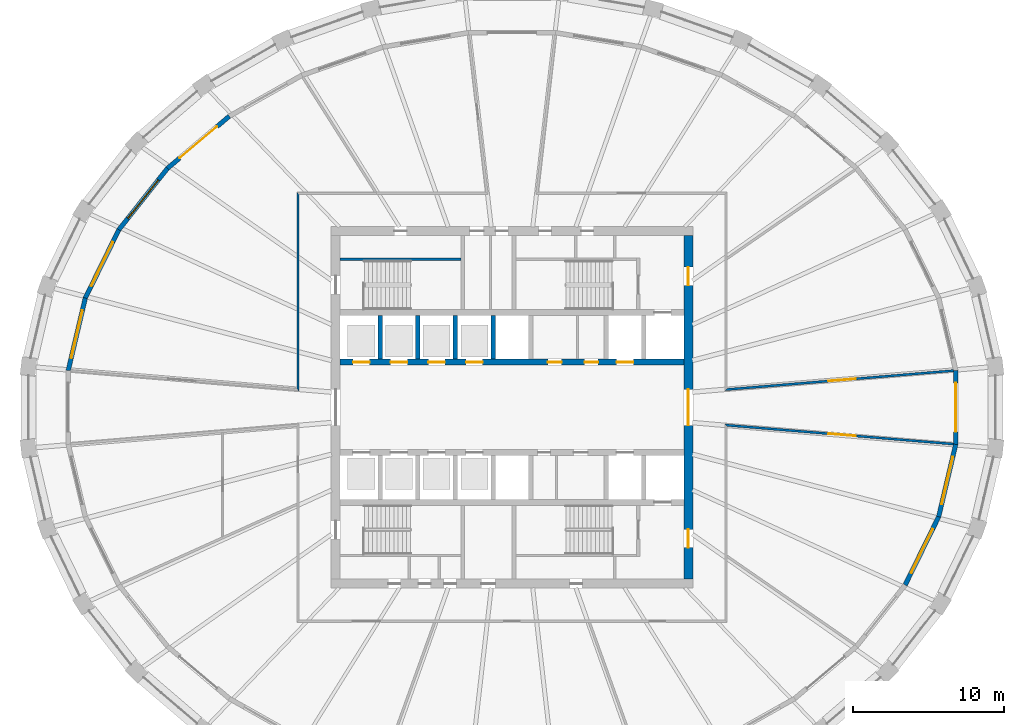
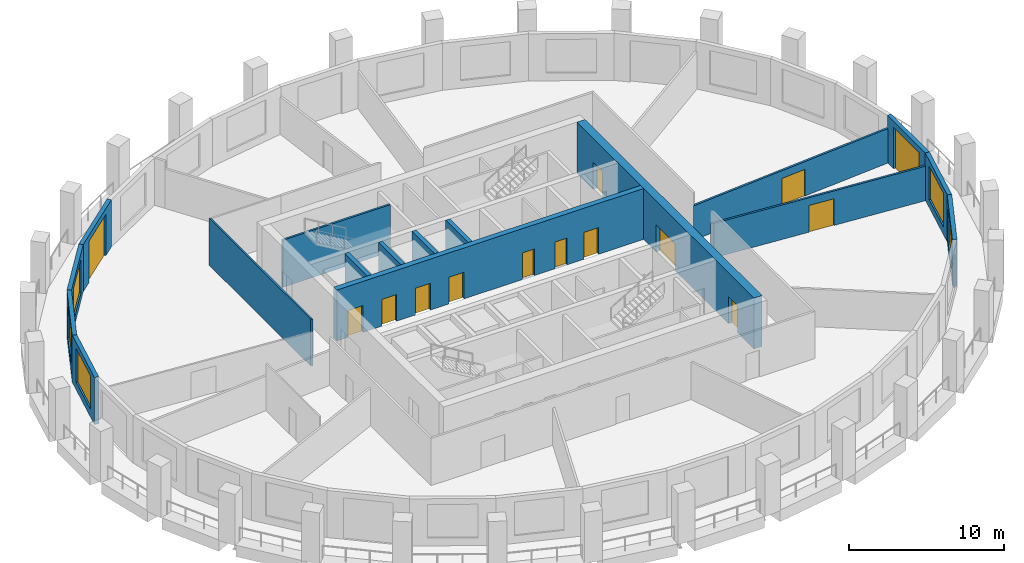
# One storey, part 5 of 10: 17 walls, 14 doors, 5 windows, 19 openings.
"""IFC4 building model written with IfcOpenShell, lengths in metres."""

from ifc_helpers import new_model, si_unit, direction, frame, frame_2d, origin, place, context, subcontext, project, spatial, polyline, rectangle, outline, extrude, material, layer, layer_set, type_object, element, fill, save


model = new_model("IFC4")

# Units and contexts
model_context = context("Model", 3, precision=1e-05, world=origin(), true_north=direction((0.0, 1.0)))
body_context = subcontext(model_context, "Body", "Model", "MODEL_VIEW")
ifc_project = project(units=[si_unit("LENGTHUNIT", "METRE"), si_unit("AREAUNIT", "SQUARE_METRE"), si_unit("VOLUMEUNIT", "CUBIC_METRE"), si_unit("PLANEANGLEUNIT", "RADIAN"), si_unit("MASSUNIT", "GRAM", prefix="KILO")], contexts=[model_context])

# Site, building, storey
site_placement = place(None, origin())
site = spatial("IfcSite", under=ifc_project, at=site_placement, CompositionType="ELEMENT")
building_placement = place(site_placement, origin())
building = spatial("IfcBuilding", under=site, at=building_placement, Name="Halqa Exchange Tower", CompositionType="ELEMENT")
storey_placement = place(building_placement, frame((0.0, 0.0, 206.89990234375)))
storey = spatial("IfcBuildingStorey", under=building, at=storey_placement, Name="L47", CompositionType="ELEMENT", Elevation=206.89990234375)

# Wall, opening, door
ifc_material_1 = material(Name="Fire-rated gypsum board")
ifc_layer_1 = layer(ifc_material_1, 0.14990234375)
ifc_layer_set_1 = layer_set([ifc_layer_1], Name="Fire-rated gypsum board")
wall_type_1 = type_object("IfcWallType", Name="Fire partition EI 60 150", PredefinedType="PARTITIONING", material=ifc_layer_set_1)
wall_1_placement = place(storey_placement, frame((14.118896484375, 1.173095703125, 0.0), z_axis=(0.0, 0.0, 1.0), x_axis=(0.996562771728, 0.082841064731, 0.0)))
wall_1 = element("IfcWall", 1, at=wall_1_placement, inside=storey, type_object=wall_type_1, Name="L47-PWL-019", PredefinedType="PARTITIONING", context=body_context, shape_type="SweptSolid", body=[
    extrude(outline(polyline([(15.2216796875, -0.074951171875), (15.2216796875, 0.044677734375), (15.217041015625, 0.074951171875), (13.33544921875, 0.074951171875), (11.45361328125, 0.074951171875), (9.57177734375, 0.074951171875), (7.68994140625, 0.074951171875), (5.80810546875, 0.074951171875), (3.92626953125, 0.074951171875), (2.04443359375, 0.074951171875), (0.16259765625, 0.074951171875), (0.081298828125, 0.000244140625), (0.0, -0.07470703125), (0.0, -0.074951171875), (1.90283203125, -0.074951171875), (3.805419921875, -0.074951171875), (5.7080078125, -0.074951171875), (7.61083984375, -0.074951171875), (9.513671875, -0.074951171875), (11.416259765625, -0.074951171875), (13.31884765625, -0.074951171875), (15.2216796875, -0.074951171875)])), origin(), (0.0, 0.0, 1.0), 2.710205078125),
])
opening_1_placement = place(wall_1_placement, frame((6.907958984375, 0.0, 0.0)))
opening_1 = element("IfcOpeningElement", 2, at=opening_1_placement, cuts=wall_1, Name="Opening 14-08", PredefinedType="OPENING", context=body_context, shape_type="SweptSolid", body=[
    extrude(rectangle(XDim=1.800048828125, YDim=2.10009765625, at=frame_2d((0.89990234375, 1.050048828125))), frame((0.0, 0.0869140625, 0.0), z_axis=(0.0, -1.0, 0.0), x_axis=(1.0, 0.0, 0.0)), (0.0, 0.0, 1.0), 0.173828125),
])
ifc_material_2 = material(Name="Steel fire door leaf", Category="steel")
door_type_1 = type_object("IfcDoorType", Name="Fire door FD30S double 1800 x 2100", OperationType="DOUBLE_DOOR_SINGLE_SWING", PredefinedType="DOOR", material=ifc_material_2)
door_1_placement = place(opening_1_placement, origin())
door_1 = element("IfcDoor", 3, at=door_1_placement, inside=storey, type_object=door_type_1, Name="L47-IDR-008", OperationType="DOUBLE_DOOR_SINGLE_SWING", OverallHeight=2.10009765625, OverallWidth=1.800048828125, PredefinedType="DOOR", context=body_context, shape_type="SweptSolid", body=[
    extrude(rectangle(XDim=1.800048828125, YDim=2.10009765625, at=frame_2d((0.89990234375, 1.050048828125))), frame((0.0, 0.02490234375, 0.0), z_axis=(0.0, -1.0, 0.0), x_axis=(1.0, 0.0, 0.0)), (0.0, 0.0, 1.0), 0.050048828125),
])
fill(opening_1, door_1)

wall_2_placement = place(storey_placement, frame((29.288330078125, -2.43408203125, 0.0), z_axis=(0.0, 0.0, 1.0), x_axis=(-0.996562771728, 0.082841064731, 0.0)))
wall_2 = element("IfcWall", 4, at=wall_2_placement, inside=storey, type_object=wall_type_1, Name="L47-PWL-021", PredefinedType="PARTITIONING", context=body_context, shape_type="SweptSolid", body=[
    extrude(outline(polyline([(15.2216796875, -0.074951171875), (15.2216796875, -0.07470703125), (15.140380859375, 0.000244140625), (15.05908203125, 0.074951171875), (13.17724609375, 0.074951171875), (11.29541015625, 0.074951171875), (9.41357421875, 0.074951171875), (7.53173828125, 0.074951171875), (5.650146484375, 0.074951171875), (3.768310546875, 0.074951171875), (1.886474609375, 0.074951171875), (0.004638671875, 0.074951171875), (0.0, 0.044189453125), (0.0, -0.074951171875), (1.90283203125, -0.074951171875), (3.805419921875, -0.074951171875), (5.7080078125, -0.074951171875), (7.61083984375, -0.074951171875), (9.513671875, -0.074951171875), (11.416259765625, -0.074951171875), (13.31884765625, -0.074951171875), (15.2216796875, -0.074951171875)])), origin(), (0.0, 0.0, 1.0), 2.710205078125),
])
opening_2_placement = place(wall_2_placement, frame((6.513916015625, 0.0, 0.0)))
opening_2 = element("IfcOpeningElement", 5, at=opening_2_placement, cuts=wall_2, Name="Opening 14-07", PredefinedType="OPENING", context=body_context, shape_type="SweptSolid", body=[
    extrude(rectangle(XDim=1.800048828125, YDim=2.10009765625, at=frame_2d((0.89990234375, 1.050048828125))), frame((0.0, 0.0869140625, 0.0), z_axis=(0.0, -1.0, 0.0), x_axis=(1.0, 0.0, 0.0)), (0.0, 0.0, 1.0), 0.173828125),
])
door_2_placement = place(opening_2_placement, origin())
door_2 = element("IfcDoor", 6, at=door_2_placement, inside=storey, type_object=door_type_1, Name="L47-IDR-007", OperationType="DOUBLE_DOOR_SINGLE_SWING", OverallHeight=2.10009765625, OverallWidth=1.800048828125, PredefinedType="DOOR", context=body_context, shape_type="SweptSolid", body=[
    extrude(rectangle(XDim=1.800048828125, YDim=2.10009765625, at=frame_2d((0.89990234375, 1.050048828125))), frame((0.0, 0.02490234375, 0.0), z_axis=(0.0, -1.0, 0.0), x_axis=(1.0, 0.0, 0.0)), (0.0, 0.0, 1.0), 0.050048828125),
])
fill(opening_2, door_2)

# Walls
ifc_material_3 = material(Name="Fire-rated glazing", Category="glass")
ifc_layer_2 = layer(ifc_material_3, 0.1201171875)
ifc_layer_set_2 = layer_set([ifc_layer_2], Name="Fire-rated glazing")
wall_type_2 = type_object("IfcWallType", Name="Glazed fire partition EI 60 120", PredefinedType="PARTITIONING", material=ifc_layer_set_2)
wall_3_placement = place(storey_placement, frame((-14.199951171875, 1.11474609375, 0.0), z_axis=(0.0, 0.0, 1.0), x_axis=(0.0, 1.0, 0.0)))
element("IfcWall", 7, at=wall_3_placement, inside=storey, type_object=wall_type_2, Name="L47-PWL-007", PredefinedType="PARTITIONING", context=body_context, shape_type="SweptSolid", body=[
    extrude(outline(polyline([(0.0, -0.06005859375), (1.86083984375, -0.06005859375), (3.721435546875, -0.06005859375), (5.582275390625, -0.06005859375), (7.44287109375, -0.06005859375), (9.3037109375, -0.06005859375), (11.164306640625, -0.06005859375), (13.025146484375, -0.06005859375), (13.145263671875, 0.06005859375), (11.285888671875, 0.06005859375), (9.4267578125, 0.06005859375), (7.5673828125, 0.06005859375), (5.708251953125, 0.06005859375), (3.848876953125, 0.06005859375), (1.98974609375, 0.06005859375), (0.13037109375, 0.06005859375), (0.0, -0.06005859375), (0.0, -0.06005859375)])), origin(), (0.0, 0.0, 1.0), 3.7001953125),
])
ifc_material_4 = material(Name="Concrete C60/75", Category="concrete")
ifc_layer_3 = layer(ifc_material_4, 0.300048828125)
ifc_layer_set_3 = layer_set([ifc_layer_3], Name="Concrete C60/75")
wall_type_3 = type_object("IfcWallType", Name="RC core wall 300", PredefinedType="SHEAR", material=ifc_layer_set_3)
for number, where, z_axis, x_axis, name in (
    (8, (-8.75, 3.199951171875, 0.0), (0.0, 0.0, 1.0), (0.0, 1.0, 0.0), "Shaft divider N1"),
    (9, (-6.25, 3.199951171875, 0.0), (0.0, 0.0, 1.0), (0.0, 1.0, 0.0), "Shaft divider N2"),
    (10, (-3.75, 3.199951171875, 0.0), (0.0, 0.0, 1.0), (0.0, 1.0, 0.0), "Shaft divider N3"),
    (11, (-1.25, 3.199951171875, 0.0), (0.0, 0.0, 1.0), (0.0, 1.0, 0.0), "Shaft divider N4"),
):
    element("IfcWall", number, at=place(storey_placement, frame(where, z_axis=z_axis, x_axis=x_axis)), inside=storey, type_object=wall_type_3, Name=name, PredefinedType="SHEAR", context=body_context, shape_type="SweptSolid", body=[
        extrude(rectangle(XDim=2.900146484375, YDim=0.300048828125, at=frame_2d((1.4501953125, 0.0))), origin(), (0.0, 0.0, 1.0), 4.0),
    ])

# Wall, openings, doors
ifc_material_5 = material(Name="Concrete C70/85", Category="concrete")
ifc_layer_4 = layer(ifc_material_5, 0.39990234375)
ifc_layer_set_4 = layer_set([ifc_layer_4], Name="Concrete C70/85")
wall_type_4 = type_object("IfcWallType", Name="RC core wall 400 C70/85", PredefinedType="SHEAR", material=ifc_layer_set_4)
wall_4_placement = place(storey_placement, frame((-11.39990234375, 3.0, 0.0), z_axis=(0.0, 0.0, 1.0), x_axis=(1.0, 0.0, 0.0)))
wall_4 = element("IfcWall", 12, at=wall_4_placement, inside=storey, type_object=wall_type_4, Name="Lift row front wall N", PredefinedType="SHEAR", context=body_context, shape_type="SweptSolid", body=[
    extrude(rectangle(XDim=22.7998046875, YDim=0.39990234375, at=frame_2d((11.39990234375, 0.0))), origin(), (0.0, 0.0, 1.0), 4.0),
])
opening_3_placement = place(wall_4_placement, frame((0.85009765625, 0.0, 0.0)))
opening_3 = element("IfcOpeningElement", 13, at=opening_3_placement, cuts=wall_4, Name="Opening LD-HR1-T14", PredefinedType="OPENING", context=body_context, shape_type="SweptSolid", body=[
    extrude(rectangle(XDim=1.10009765625, YDim=2.10009765625, at=frame_2d((0.550048828125, 1.050048828125))), frame((0.0, 0.2119140625, 0.0), z_axis=(0.0, -1.0, 0.0), x_axis=(1.0, 0.0, 0.0)), (0.0, 0.0, 1.0), 0.423828125),
])
opening_4_placement = place(wall_4_placement, frame((3.35009765625, 0.0, 0.0)))
opening_4 = element("IfcOpeningElement", 14, at=opening_4_placement, cuts=wall_4, Name="Opening LD-HR2-T14", PredefinedType="OPENING", context=body_context, shape_type="SweptSolid", body=[
    extrude(rectangle(XDim=1.10009765625, YDim=2.10009765625, at=frame_2d((0.550048828125, 1.050048828125))), frame((0.0, 0.2119140625, 0.0), z_axis=(0.0, -1.0, 0.0), x_axis=(1.0, 0.0, 0.0)), (0.0, 0.0, 1.0), 0.423828125),
])
opening_5_placement = place(wall_4_placement, frame((5.85009765625, 0.0, 0.0)))
opening_5 = element("IfcOpeningElement", 15, at=opening_5_placement, cuts=wall_4, Name="Opening LD-MR1-T14", PredefinedType="OPENING", context=body_context, shape_type="SweptSolid", body=[
    extrude(rectangle(XDim=1.10009765625, YDim=2.10009765625, at=frame_2d((0.550048828125, 1.050048828125))), frame((0.0, 0.2119140625, 0.0), z_axis=(0.0, -1.0, 0.0), x_axis=(1.0, 0.0, 0.0)), (0.0, 0.0, 1.0), 0.423828125),
])
opening_6_placement = place(wall_4_placement, frame((8.35009765625, 0.0, 0.0)))
opening_6 = element("IfcOpeningElement", 16, at=opening_6_placement, cuts=wall_4, Name="Opening LD-MR2-T14", PredefinedType="OPENING", context=body_context, shape_type="SweptSolid", body=[
    extrude(rectangle(XDim=1.10009765625, YDim=2.10009765625, at=frame_2d((0.550048828125, 1.050048828125))), frame((0.0, 0.2119140625, 0.0), z_axis=(0.0, -1.0, 0.0), x_axis=(1.0, 0.0, 0.0)), (0.0, 0.0, 1.0), 0.423828125),
])
opening_7_placement = place(wall_4_placement, frame((18.35009765625, 0.0, 0.0)))
opening_7 = element("IfcOpeningElement", 17, at=opening_7_placement, cuts=wall_4, Name="Opening LD-SV1-T14", PredefinedType="OPENING", context=body_context, shape_type="SweptSolid", body=[
    extrude(rectangle(XDim=1.10009765625, YDim=2.10009765625, at=frame_2d((0.550048828125, 1.050048828125))), frame((0.0, 0.2119140625, 0.0), z_axis=(0.0, -1.0, 0.0), x_axis=(1.0, 0.0, 0.0)), (0.0, 0.0, 1.0), 0.423828125),
])
opening_8_placement = place(wall_4_placement, frame((13.78759765625, 0.0, 0.0)))
opening_8 = element("IfcOpeningElement", 18, at=opening_8_placement, cuts=wall_4, Name="Opening T14-C31", PredefinedType="OPENING", context=body_context, shape_type="SweptSolid", body=[
    extrude(rectangle(XDim=0.89990234375, YDim=2.10009765625, at=frame_2d((0.449951171875, 1.050048828125))), frame((0.0, 0.2119140625, 0.0), z_axis=(0.0, -1.0, 0.0), x_axis=(1.0, 0.0, 0.0)), (0.0, 0.0, 1.0), 0.423828125),
])
opening_9_placement = place(wall_4_placement, frame((16.21240234375, 0.0, 0.0)))
opening_9 = element("IfcOpeningElement", 19, at=opening_9_placement, cuts=wall_4, Name="Opening T14-C32", PredefinedType="OPENING", context=body_context, shape_type="SweptSolid", body=[
    extrude(rectangle(XDim=0.89990234375, YDim=2.10009765625, at=frame_2d((0.449951171875, 1.050048828125))), frame((0.0, 0.2119140625, 0.0), z_axis=(0.0, -1.0, 0.0), x_axis=(1.0, 0.0, 0.0)), (0.0, 0.0, 1.0), 0.423828125),
])
ifc_material_6 = material(Name="Timber fire door leaf", Category="wood")
door_type_2 = type_object("IfcDoorType", Name="Core room door FD30 900 x 2100", OperationType="SINGLE_SWING_LEFT", PredefinedType="DOOR", material=ifc_material_6)
door_3_placement = place(opening_8_placement, origin())
door_3 = element("IfcDoor", 20, at=door_3_placement, inside=storey, type_object=door_type_2, Name="Core room door", OperationType="SINGLE_SWING_RIGHT", OverallHeight=2.10009765625, OverallWidth=0.89990234375, PredefinedType="DOOR", context=body_context, shape_type="SweptSolid", body=[
    extrude(rectangle(XDim=0.89990234375, YDim=2.10009765625, at=frame_2d((0.449951171875, 1.050048828125))), frame((0.0, 0.02490234375, 0.0), z_axis=(0.0, -1.0, 0.0), x_axis=(1.0, 0.0, 0.0)), (0.0, 0.0, 1.0), 0.050048828125),
])
fill(opening_8, door_3)
door_4_placement = place(opening_9_placement, origin())
door_4 = element("IfcDoor", 21, at=door_4_placement, inside=storey, type_object=door_type_2, Name="Core room door", OperationType="SINGLE_SWING_RIGHT", OverallHeight=2.10009765625, OverallWidth=0.89990234375, PredefinedType="DOOR", context=body_context, shape_type="SweptSolid", body=[
    extrude(rectangle(XDim=0.89990234375, YDim=2.10009765625, at=frame_2d((0.449951171875, 1.050048828125))), frame((0.0, 0.02490234375, 0.0), z_axis=(0.0, -1.0, 0.0), x_axis=(1.0, 0.0, 0.0)), (0.0, 0.0, 1.0), 0.050048828125),
])
fill(opening_9, door_4)
ifc_material_7 = material(Name="Stainless steel", Category="steel")
door_type_3 = type_object("IfcDoorType", Name="Lift landing door 1100 x 2100", OperationType="SLIDING_TO_LEFT", PredefinedType="DOOR", material=ifc_material_7)
door_5_placement = place(opening_3_placement, origin())
door_5 = element("IfcDoor", 22, at=door_5_placement, inside=storey, type_object=door_type_3, Name="Lift landing door HR1", OperationType="SLIDING_TO_LEFT", OverallHeight=2.10009765625, OverallWidth=1.10009765625, PredefinedType="DOOR", context=body_context, shape_type="SweptSolid", body=[
    extrude(rectangle(XDim=1.10009765625, YDim=2.10009765625, at=frame_2d((0.550048828125, 1.050048828125))), frame((0.0, 0.02490234375, 0.0), z_axis=(0.0, -1.0, 0.0), x_axis=(1.0, 0.0, 0.0)), (0.0, 0.0, 1.0), 0.050048828125),
])
fill(opening_3, door_5)
door_6_placement = place(opening_4_placement, origin())
door_6 = element("IfcDoor", 23, at=door_6_placement, inside=storey, type_object=door_type_3, Name="Lift landing door HR2", OperationType="SLIDING_TO_LEFT", OverallHeight=2.10009765625, OverallWidth=1.10009765625, PredefinedType="DOOR", context=body_context, shape_type="SweptSolid", body=[
    extrude(rectangle(XDim=1.10009765625, YDim=2.10009765625, at=frame_2d((0.550048828125, 1.050048828125))), frame((0.0, 0.02490234375, 0.0), z_axis=(0.0, -1.0, 0.0), x_axis=(1.0, 0.0, 0.0)), (0.0, 0.0, 1.0), 0.050048828125),
])
fill(opening_4, door_6)
door_7_placement = place(opening_5_placement, origin())
door_7 = element("IfcDoor", 24, at=door_7_placement, inside=storey, type_object=door_type_3, Name="Lift landing door MR1", OperationType="SLIDING_TO_LEFT", OverallHeight=2.10009765625, OverallWidth=1.10009765625, PredefinedType="DOOR", context=body_context, shape_type="SweptSolid", body=[
    extrude(rectangle(XDim=1.10009765625, YDim=2.10009765625, at=frame_2d((0.550048828125, 1.050048828125))), frame((0.0, 0.02490234375, 0.0), z_axis=(0.0, -1.0, 0.0), x_axis=(1.0, 0.0, 0.0)), (0.0, 0.0, 1.0), 0.050048828125),
])
fill(opening_5, door_7)
door_8_placement = place(opening_6_placement, origin())
door_8 = element("IfcDoor", 25, at=door_8_placement, inside=storey, type_object=door_type_3, Name="Lift landing door MR2", OperationType="SLIDING_TO_LEFT", OverallHeight=2.10009765625, OverallWidth=1.10009765625, PredefinedType="DOOR", context=body_context, shape_type="SweptSolid", body=[
    extrude(rectangle(XDim=1.10009765625, YDim=2.10009765625, at=frame_2d((0.550048828125, 1.050048828125))), frame((0.0, 0.02490234375, 0.0), z_axis=(0.0, -1.0, 0.0), x_axis=(1.0, 0.0, 0.0)), (0.0, 0.0, 1.0), 0.050048828125),
])
fill(opening_6, door_8)
door_9_placement = place(opening_7_placement, origin())
door_9 = element("IfcDoor", 26, at=door_9_placement, inside=storey, type_object=door_type_3, Name="Lift landing door SV1", OperationType="SLIDING_TO_LEFT", OverallHeight=2.10009765625, OverallWidth=1.10009765625, PredefinedType="DOOR", context=body_context, shape_type="SweptSolid", body=[
    extrude(rectangle(XDim=1.10009765625, YDim=2.10009765625, at=frame_2d((0.550048828125, 1.050048828125))), frame((0.0, 0.02490234375, 0.0), z_axis=(0.0, -1.0, 0.0), x_axis=(1.0, 0.0, 0.0)), (0.0, 0.0, 1.0), 0.050048828125),
])
fill(opening_7, door_9)

ifc_layer_5 = layer(ifc_material_5, 0.60009765625)
ifc_layer_set_5 = layer_set([ifc_layer_5], Name="Concrete C70/85")
wall_type_5 = type_object("IfcWallType", Name="RC core wall 600 C70/85", PredefinedType="SHEAR", material=ifc_layer_set_5)
wall_5_placement = place(storey_placement, frame((11.699951171875, -11.39990234375, 0.0), z_axis=(0.0, 0.0, 1.0), x_axis=(0.0, 1.0, 0.0)))
wall_5 = element("IfcWall", 27, at=wall_5_placement, inside=storey, type_object=wall_type_5, Name="Core wall east", PredefinedType="SHEAR", context=body_context, shape_type="SweptSolid", body=[
    extrude(rectangle(XDim=22.7998046875, YDim=0.60009765625, at=frame_2d((11.39990234375, 0.0))), origin(), (0.0, 0.0, 1.0), 4.0),
])
opening_10_placement = place(wall_5_placement, frame((10.199951171875, 0.0, 0.0)))
opening_10 = element("IfcOpeningElement", 28, at=opening_10_placement, cuts=wall_5, Name="Opening T14-C14", PredefinedType="OPENING", context=body_context, shape_type="SweptSolid", body=[
    extrude(rectangle(XDim=2.39990234375, YDim=2.10009765625, at=frame_2d((1.199951171875, 1.050048828125))), frame((0.0, 0.31201171875, 0.0), z_axis=(0.0, -1.0, 0.0), x_axis=(1.0, 0.0, 0.0)), (0.0, 0.0, 1.0), 0.6240234375),
])
opening_11_placement = place(wall_5_placement, frame((19.5, 0.0, 0.0)))
opening_11 = element("IfcOpeningElement", 29, at=opening_11_placement, cuts=wall_5, Name="Opening T14-C19", PredefinedType="OPENING", context=body_context, shape_type="SweptSolid", body=[
    extrude(rectangle(XDim=1.199951171875, YDim=2.10009765625, at=frame_2d((0.60009765625, 1.050048828125))), frame((0.0, 0.31201171875, 0.0), z_axis=(0.0, -1.0, 0.0), x_axis=(1.0, 0.0, 0.0)), (0.0, 0.0, 1.0), 0.6240234375),
])
opening_12_placement = place(wall_5_placement, frame((2.10009765625, 0.0, 0.0)))
opening_12 = element("IfcOpeningElement", 30, at=opening_12_placement, cuts=wall_5, Name="Opening T14-C20", PredefinedType="OPENING", context=body_context, shape_type="SweptSolid", body=[
    extrude(rectangle(XDim=1.199951171875, YDim=2.10009765625, at=frame_2d((0.60009765625, 1.050048828125))), frame((0.0, 0.31201171875, 0.0), z_axis=(0.0, -1.0, 0.0), x_axis=(1.0, 0.0, 0.0)), (0.0, 0.0, 1.0), 0.6240234375),
])
door_type_4 = type_object("IfcDoorType", Name="Firefighting lobby door FD90 1200 x 2100", OperationType="SINGLE_SWING_RIGHT", PredefinedType="DOOR", material=ifc_material_2)
door_10_placement = place(opening_11_placement, origin())
door_10 = element("IfcDoor", 31, at=door_10_placement, inside=storey, type_object=door_type_4, Name="Firefighting lobby door", OperationType="SINGLE_SWING_RIGHT", OverallHeight=2.10009765625, OverallWidth=1.199951171875, PredefinedType="DOOR", context=body_context, shape_type="SweptSolid", body=[
    extrude(rectangle(XDim=1.199951171875, YDim=2.10009765625, at=frame_2d((0.60009765625, 1.050048828125))), frame((0.0, 0.02490234375, 0.0), z_axis=(0.0, -1.0, 0.0), x_axis=(1.0, 0.0, 0.0)), (0.0, 0.0, 1.0), 0.050048828125),
])
fill(opening_11, door_10)
door_11_placement = place(opening_12_placement, origin())
door_11 = element("IfcDoor", 32, at=door_11_placement, inside=storey, type_object=door_type_4, Name="Firefighting lobby door", OperationType="SINGLE_SWING_LEFT", OverallHeight=2.10009765625, OverallWidth=1.199951171875, PredefinedType="DOOR", context=body_context, shape_type="SweptSolid", body=[
    extrude(rectangle(XDim=1.199951171875, YDim=2.10009765625, at=frame_2d((0.60009765625, 1.050048828125))), frame((0.0, 0.02490234375, 0.0), z_axis=(0.0, -1.0, 0.0), x_axis=(1.0, 0.0, 0.0)), (0.0, 0.0, 1.0), 0.050048828125),
])
fill(opening_12, door_11)
door_type_5 = type_object("IfcDoorType", Name="Lobby double door FD60 2400 x 2100", OperationType="DOUBLE_DOOR_SINGLE_SWING", PredefinedType="DOOR", material=ifc_material_2)
door_12_placement = place(opening_10_placement, origin())
door_12 = element("IfcDoor", 33, at=door_12_placement, inside=storey, type_object=door_type_5, Name="Lift lobby double door", OperationType="DOUBLE_DOOR_SINGLE_SWING", OverallHeight=2.10009765625, OverallWidth=2.39990234375, PredefinedType="DOOR", context=body_context, shape_type="SweptSolid", body=[
    extrude(rectangle(XDim=2.39990234375, YDim=2.10009765625, at=frame_2d((1.199951171875, 1.050048828125))), frame((0.0, 0.02490234375, 0.0), z_axis=(0.0, -1.0, 0.0), x_axis=(1.0, 0.0, 0.0)), (0.0, 0.0, 1.0), 0.050048828125),
])
fill(opening_10, door_12)

# Wall
ifc_material_8 = material(Name="Concrete C30/37", Category="concrete")
ifc_layer_6 = layer(ifc_material_8, 0.14990234375)
ifc_layer_set_6 = layer_set([ifc_layer_6], Name="Concrete C30/37")
wall_type_6 = type_object("IfcWallType", Name="RC stair wall 150 C30/37", PredefinedType="SHEAR", material=ifc_layer_set_6)
wall_6_placement = place(storey_placement, frame((-11.39990234375, 9.824951171875, 0.0), z_axis=(0.0, 0.0, 1.0), x_axis=(1.0, 0.0, 0.0)))
element("IfcWall", 34, at=wall_6_placement, inside=storey, type_object=wall_type_6, Name="Stair ST1 north wall N", PredefinedType="SHEAR", context=body_context, shape_type="SweptSolid", body=[
    extrude(rectangle(XDim=8.0, YDim=0.14990234375, at=frame_2d((4.0, 0.0))), origin(), (0.0, 0.0, 1.0), 3.7001953125),
])

# Wall, opening, door
ifc_material_9 = material(Name="Limestone cladding", Category="masonry")
ifc_layer_7 = layer(ifc_material_9, 0.0400390625)
ifc_material_10 = material(Name="Ventilated cavity")
ifc_layer_8 = layer(ifc_material_10, 0.030029296875, ventilated=True)
ifc_material_11 = material(Name="Mineral wool insulation")
ifc_layer_9 = layer(ifc_material_11, 0.10009765625)
ifc_layer_10 = layer(ifc_material_8, 0.10009765625)
ifc_material_12 = material(Name="Internal plaster")
ifc_layer_11 = layer(ifc_material_12, 0.030029296875)
ifc_layer_set_7 = layer_set([ifc_layer_7, ifc_layer_8, ifc_layer_9, ifc_layer_10, ifc_layer_11], Name="Stone-faced insulated wall 300")
wall_type_7 = type_object("IfcWallType", Name="Stone-faced insulated wall 300", PredefinedType="STANDARD", material=ifc_layer_set_7)
wall_7_placement = place(storey_placement, frame((-18.760498046875, 19.318603515625, 0.0), z_axis=(0.0, 0.0, 1.0), x_axis=(-0.764386053229, -0.6447588399, 0.0)))
wall_7 = element("IfcWall", 35, at=wall_7_placement, inside=storey, type_object=wall_type_7, Name="Glass-line wall 12", PredefinedType="STANDARD", context=body_context, shape_type="SweptSolid", body=[
    extrude(outline(polyline([(-0.01416015625, -0.14990234375), (5.382568359375, -0.14990234375), (5.352294921875, 0.14990234375), (0.01416015625, 0.14990234375), (-0.01416015625, -0.14990234375)])), origin(), (0.0, 0.0, 1.0), 3.7001953125),
])
opening_13_placement = place(wall_7_placement, frame((1.058837890625, 0.0, 0.0)))
opening_13 = element("IfcOpeningElement", 36, at=opening_13_placement, cuts=wall_7, Name="Opening LG-F3-03", PredefinedType="OPENING", context=body_context, shape_type="SweptSolid", body=[
    extrude(rectangle(XDim=3.25, YDim=3.25, at=frame_2d((1.625, 1.625))), frame((0.0, 0.162109375, 0.0), z_axis=(0.0, -1.0, 0.0), x_axis=(1.0, 0.0, 0.0)), (0.0, 0.0, 1.0), 0.323974609375),
])
ifc_material_13 = material(Name="Clear low-emissivity glass in aluminium frame", Category="aluminium")
door_type_6 = type_object("IfcDoorType", Name="Glazed sliding loggia door 3250 x 3250", OperationType="DOUBLE_DOOR_SLIDING", PredefinedType="DOOR", material=ifc_material_13)
door_13_placement = place(opening_13_placement, origin())
door_13 = element("IfcDoor", 37, at=door_13_placement, inside=storey, type_object=door_type_6, Name="Loggia door 3", OperationType="DOUBLE_DOOR_SLIDING", OverallHeight=3.25, OverallWidth=3.25, PredefinedType="DOOR", context=body_context, shape_type="SweptSolid", body=[
    extrude(rectangle(XDim=3.25, YDim=3.25, at=frame_2d((1.625, 1.625))), frame((0.0, 0.02490234375, 0.0), z_axis=(0.0, -1.0, 0.0), x_axis=(1.0, 0.0, 0.0)), (0.0, 0.0, 1.0), 0.050048828125),
])
fill(opening_13, door_13)

# Wall, opening, window
wall_8_placement = place(storey_placement, frame((-22.86328125, 15.85791015625, 0.0), z_axis=(0.0, 0.0, 1.0), x_axis=(-0.620870264345, -0.783913333763, 0.0)))
wall_8 = element("IfcWall", 38, at=wall_8_placement, inside=storey, type_object=wall_type_7, Name="Glass-line wall 13", PredefinedType="STANDARD", context=body_context, shape_type="SweptSolid", body=[
    extrude(outline(polyline([(-0.01513671875, -0.14990234375), (5.210693359375, -0.14990234375), (5.178466796875, 0.14990234375), (0.01513671875, 0.14990234375), (-0.01513671875, -0.14990234375)])), origin(), (0.0, 0.0, 1.0), 3.7001953125),
])
opening_14_placement = place(wall_8_placement, frame((0.97216796875, 0.0, 0.60009765625)))
opening_14 = element("IfcOpeningElement", 39, at=opening_14_placement, cuts=wall_8, Name="Opening W-F3-13", PredefinedType="OPENING", context=body_context, shape_type="SweptSolid", body=[
    extrude(rectangle(XDim=3.25, YDim=2.64990234375, at=frame_2d((1.625, 1.324951171875))), frame((0.0, 0.162109375, 0.0), z_axis=(0.0, -1.0, 0.0), x_axis=(1.0, 0.0, 0.0)), (0.0, 0.0, 1.0), 0.323974609375),
])
window_type = type_object("IfcWindowType", Name="Fixed clear glazed window 3250 x 2650", PartitioningType="TRIPLE_PANEL_VERTICAL", PredefinedType="WINDOW", material=ifc_material_13)
window_1_placement = place(opening_14_placement, origin())
window_1 = element("IfcWindow", 40, at=window_1_placement, inside=storey, type_object=window_type, Name="Window 3", OverallHeight=2.64990234375, OverallWidth=3.25, PartitioningType="TRIPLE_PANEL_VERTICAL", PredefinedType="WINDOW", context=body_context, shape_type="SweptSolid", body=[
    extrude(rectangle(XDim=3.25, YDim=2.64990234375, at=frame_2d((1.625, 1.324951171875))), frame((0.0, 0.030029296875, 0.0), z_axis=(0.0, -1.0, 0.0), x_axis=(1.0, 0.0, 0.0)), (0.0, 0.0, 1.0), 0.06005859375),
])
fill(opening_14, window_1)

wall_9_placement = place(storey_placement, frame((-26.08837890625, 11.785888671875, 0.0), z_axis=(0.0, 0.0, 1.0), x_axis=(-0.440773193145, -0.89761851151, 0.0)))
wall_9 = element("IfcWall", 41, at=wall_9_placement, inside=storey, type_object=wall_type_7, Name="Glass-line wall 14", PredefinedType="STANDARD", context=body_context, shape_type="SweptSolid", body=[
    extrude(outline(polyline([(-0.01611328125, -0.14990234375), (5.06005859375, -0.14990234375), (5.0263671875, 0.14990234375), (0.01611328125, 0.14990234375), (-0.01611328125, -0.14990234375)])), origin(), (0.0, 0.0, 1.0), 3.7001953125),
])
opening_15_placement = place(wall_9_placement, frame((0.896484375, 0.0, 0.60009765625)))
opening_15 = element("IfcOpeningElement", 42, at=opening_15_placement, cuts=wall_9, Name="Opening W-F3-14", PredefinedType="OPENING", context=body_context, shape_type="SweptSolid", body=[
    extrude(rectangle(XDim=3.25, YDim=2.64990234375, at=frame_2d((1.625, 1.324951171875))), frame((0.0, 0.162109375, 0.0), z_axis=(0.0, -1.0, 0.0), x_axis=(1.0, 0.0, 0.0)), (0.0, 0.0, 1.0), 0.323974609375),
])
window_2_placement = place(opening_15_placement, origin())
window_2 = element("IfcWindow", 43, at=window_2_placement, inside=storey, type_object=window_type, Name="Window 3", OverallHeight=2.64990234375, OverallWidth=3.25, PartitioningType="TRIPLE_PANEL_VERTICAL", PredefinedType="WINDOW", context=body_context, shape_type="SweptSolid", body=[
    extrude(rectangle(XDim=3.25, YDim=2.64990234375, at=frame_2d((1.625, 1.324951171875))), frame((0.0, 0.030029296875, 0.0), z_axis=(0.0, -1.0, 0.0), x_axis=(1.0, 0.0, 0.0)), (0.0, 0.0, 1.0), 0.06005859375),
])
fill(opening_15, window_2)

wall_10_placement = place(storey_placement, frame((-28.311279296875, 7.259033203125, 0.0), z_axis=(0.0, 0.0, 1.0), x_axis=(-0.229535186351, -0.973300363828, 0.0)))
wall_10 = element("IfcWall", 44, at=wall_10_placement, inside=storey, type_object=wall_type_7, Name="Glass-line wall 15", PredefinedType="STANDARD", context=body_context, shape_type="SweptSolid", body=[
    extrude(outline(polyline([(-0.016845703125, -0.14990234375), (4.956787109375, -0.14990234375), (4.922119140625, 0.14990234375), (0.016845703125, 0.14990234375), (-0.016845703125, -0.14990234375)])), origin(), (0.0, 0.0, 1.0), 3.7001953125),
])
opening_16_placement = place(wall_10_placement, frame((0.8447265625, 0.0, 0.60009765625)))
opening_16 = element("IfcOpeningElement", 45, at=opening_16_placement, cuts=wall_10, Name="Opening W-F3-15", PredefinedType="OPENING", context=body_context, shape_type="SweptSolid", body=[
    extrude(rectangle(XDim=3.25, YDim=2.64990234375, at=frame_2d((1.625, 1.324951171875))), frame((0.0, 0.162109375, 0.0), z_axis=(0.0, -1.0, 0.0), x_axis=(1.0, 0.0, 0.0)), (0.0, 0.0, 1.0), 0.323974609375),
])
window_3_placement = place(opening_16_placement, origin())
window_3 = element("IfcWindow", 46, at=window_3_placement, inside=storey, type_object=window_type, Name="Window 3", OverallHeight=2.64990234375, OverallWidth=3.25, PartitioningType="TRIPLE_PANEL_VERTICAL", PredefinedType="WINDOW", context=body_context, shape_type="SweptSolid", body=[
    extrude(rectangle(XDim=3.25, YDim=2.64990234375, at=frame_2d((1.625, 1.324951171875))), frame((0.0, 0.030029296875, 0.0), z_axis=(0.0, -1.0, 0.0), x_axis=(1.0, 0.0, 0.0)), (0.0, 0.0, 1.0), 0.06005859375),
])
fill(opening_16, window_3)

wall_11_placement = place(storey_placement, frame((26.08837890625, -11.785888671875, 0.0), z_axis=(0.0, 0.0, 1.0), x_axis=(0.440773193145, 0.89761851151, 0.0)))
wall_11 = element("IfcWall", 47, at=wall_11_placement, inside=storey, type_object=wall_type_7, Name="Glass-line wall 30", PredefinedType="STANDARD", context=body_context, shape_type="SweptSolid", body=[
    extrude(outline(polyline([(-0.01611328125, -0.14990234375), (5.06005859375, -0.14990234375), (5.0263671875, 0.14990234375), (0.01611328125, 0.14990234375), (-0.01611328125, -0.14990234375)])), origin(), (0.0, 0.0, 1.0), 3.7001953125),
])
opening_17_placement = place(wall_11_placement, frame((0.896484375, 0.0, 0.60009765625)))
opening_17 = element("IfcOpeningElement", 48, at=opening_17_placement, cuts=wall_11, Name="Opening W-F3-30", PredefinedType="OPENING", context=body_context, shape_type="SweptSolid", body=[
    extrude(rectangle(XDim=3.25, YDim=2.64990234375, at=frame_2d((1.625, 1.324951171875))), frame((0.0, 0.162109375, 0.0), z_axis=(0.0, -1.0, 0.0), x_axis=(1.0, 0.0, 0.0)), (0.0, 0.0, 1.0), 0.323974609375),
])
window_4_placement = place(opening_17_placement, origin())
window_4 = element("IfcWindow", 49, at=window_4_placement, inside=storey, type_object=window_type, Name="Window 3", OverallHeight=2.64990234375, OverallWidth=3.25, PartitioningType="TRIPLE_PANEL_VERTICAL", PredefinedType="WINDOW", context=body_context, shape_type="SweptSolid", body=[
    extrude(rectangle(XDim=3.25, YDim=2.64990234375, at=frame_2d((1.625, 1.324951171875))), frame((0.0, 0.030029296875, 0.0), z_axis=(0.0, -1.0, 0.0), x_axis=(1.0, 0.0, 0.0)), (0.0, 0.0, 1.0), 0.06005859375),
])
fill(opening_17, window_4)

wall_12_placement = place(storey_placement, frame((28.311279296875, -7.259033203125, 0.0), z_axis=(0.0, 0.0, 1.0), x_axis=(0.229535186351, 0.973300363828, 0.0)))
wall_12 = element("IfcWall", 50, at=wall_12_placement, inside=storey, type_object=wall_type_7, Name="Glass-line wall 31", PredefinedType="STANDARD", context=body_context, shape_type="SweptSolid", body=[
    extrude(outline(polyline([(-0.016845703125, -0.14990234375), (4.956787109375, -0.14990234375), (4.922119140625, 0.14990234375), (0.016845703125, 0.14990234375), (-0.016845703125, -0.14990234375)])), origin(), (0.0, 0.0, 1.0), 3.7001953125),
])
opening_18_placement = place(wall_12_placement, frame((0.8447265625, 0.0, 0.60009765625)))
opening_18 = element("IfcOpeningElement", 51, at=opening_18_placement, cuts=wall_12, Name="Opening W-F3-31", PredefinedType="OPENING", context=body_context, shape_type="SweptSolid", body=[
    extrude(rectangle(XDim=3.25, YDim=2.64990234375, at=frame_2d((1.625, 1.324951171875))), frame((0.0, 0.162109375, 0.0), z_axis=(0.0, -1.0, 0.0), x_axis=(1.0, 0.0, 0.0)), (0.0, 0.0, 1.0), 0.323974609375),
])
window_5_placement = place(opening_18_placement, origin())
window_5 = element("IfcWindow", 52, at=window_5_placement, inside=storey, type_object=window_type, Name="Window 3", OverallHeight=2.64990234375, OverallWidth=3.25, PartitioningType="TRIPLE_PANEL_VERTICAL", PredefinedType="WINDOW", context=body_context, shape_type="SweptSolid", body=[
    extrude(rectangle(XDim=3.25, YDim=2.64990234375, at=frame_2d((1.625, 1.324951171875))), frame((0.0, 0.030029296875, 0.0), z_axis=(0.0, -1.0, 0.0), x_axis=(1.0, 0.0, 0.0)), (0.0, 0.0, 1.0), 0.06005859375),
])
fill(opening_18, window_5)

# Wall, opening, door
wall_13_placement = place(storey_placement, frame((29.445068359375, -2.451416015625, 0.0), z_axis=(0.0, 0.0, 1.0), x_axis=(0.0, 1.0, 0.0)))
wall_13 = element("IfcWall", 53, at=wall_13_placement, inside=storey, type_object=wall_type_7, Name="Glass-line wall 32", PredefinedType="STANDARD", context=body_context, shape_type="SweptSolid", body=[
    extrude(outline(polyline([(-0.017333984375, -0.14990234375), (4.920166015625, -0.14990234375), (4.885498046875, 0.14990234375), (0.017333984375, 0.14990234375), (-0.017333984375, -0.14990234375)])), origin(), (0.0, 0.0, 1.0), 3.7001953125),
])
opening_19_placement = place(wall_13_placement, frame((0.826416015625, 0.0, 0.0)))
opening_19 = element("IfcOpeningElement", 54, at=opening_19_placement, cuts=wall_13, Name="Opening LG-F3-08", PredefinedType="OPENING", context=body_context, shape_type="SweptSolid", body=[
    extrude(rectangle(XDim=3.25, YDim=3.25, at=frame_2d((1.625, 1.625))), frame((0.0, 0.162109375, 0.0), z_axis=(0.0, -1.0, 0.0), x_axis=(1.0, 0.0, 0.0)), (0.0, 0.0, 1.0), 0.323974609375),
])
door_14_placement = place(opening_19_placement, origin())
door_14 = element("IfcDoor", 55, at=door_14_placement, inside=storey, type_object=door_type_6, Name="Loggia door 8", OperationType="DOUBLE_DOOR_SLIDING", OverallHeight=3.25, OverallWidth=3.25, PredefinedType="DOOR", context=body_context, shape_type="SweptSolid", body=[
    extrude(rectangle(XDim=3.25, YDim=3.25, at=frame_2d((1.625, 1.625))), frame((0.0, 0.02490234375, 0.0), z_axis=(0.0, -1.0, 0.0), x_axis=(1.0, 0.0, 0.0)), (0.0, 0.0, 1.0), 0.050048828125),
])
fill(opening_19, door_14)

save(model, "model.ifc")
